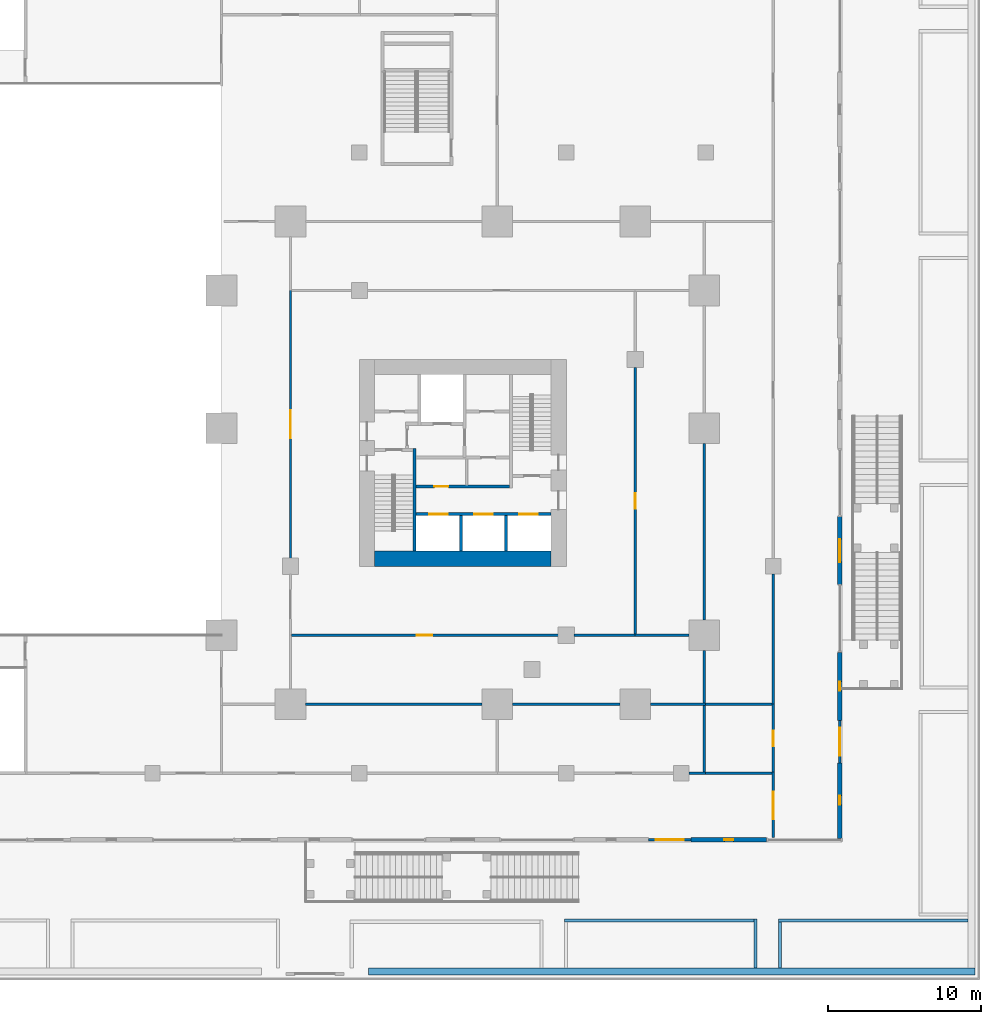
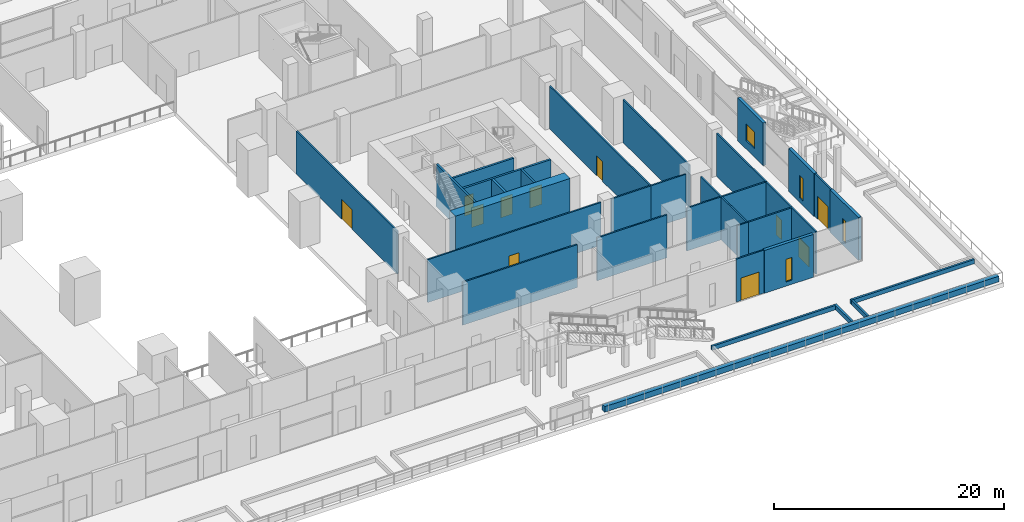
# One storey, part 35 of 49: 34 walls, 11 doors, 4 windows, 15 openings.
"""IFC4 building model written with IfcOpenShell, lengths in metres."""

from ifc_helpers import new_model, si_unit, direction, frame, frame_2d, origin, place, context, subcontext, project, spatial, rectangle, extrude, material, layer, layer_set, type_object, element, fill, save


model = new_model("IFC4")

# Units and contexts
model_context = context("Model", 3, precision=1e-05, world=origin(), true_north=direction((0.0, 1.0)))
body_context = subcontext(model_context, "Body", "Model", "MODEL_VIEW")
ifc_project = project(units=[si_unit("LENGTHUNIT", "METRE"), si_unit("AREAUNIT", "SQUARE_METRE"), si_unit("VOLUMEUNIT", "CUBIC_METRE"), si_unit("PLANEANGLEUNIT", "RADIAN"), si_unit("MASSUNIT", "GRAM", prefix="KILO")], contexts=[model_context])

# Site, building, storey
site_placement = place(None, origin())
site = spatial("IfcSite", under=ifc_project, at=site_placement, CompositionType="ELEMENT")
building_placement = place(site_placement, origin())
building = spatial("IfcBuilding", under=site, at=building_placement, Name="Altepetl Exchange Towers", CompositionType="ELEMENT")
storey_placement = place(building_placement, frame((0.0, 0.0, 11.5)))
storey = spatial("IfcBuildingStorey", under=building, at=storey_placement, Name="L02 Exchange podium", CompositionType="ELEMENT", Elevation=11.5)

# Wall
ifc_material_1 = material(Name="Concrete C70/85", Category="concrete")
ifc_layer_1 = layer(ifc_material_1, 1.0)
ifc_layer_set_1 = layer_set([ifc_layer_1], Name="Concrete C70/85")
wall_type_1 = type_object("IfcWallType", Name="Core wall 1000 reinforced concrete", PredefinedType="SHEAR", material=ifc_layer_set_1)
wall_1_placement = place(storey_placement, frame((104.5, 36.5, 0.0)))
element("IfcWall", 1, at=wall_1_placement, inside=storey, type_object=wall_type_1, Name="wall:B:L02:K-coreS", PredefinedType="SHEAR", context=body_context, shape_type="SweptSolid", body=[
    extrude(rectangle(XDim=11.5, YDim=1.0, at=frame_2d((5.75, 0.0))), origin(), (0.0, 0.0, 1.0), 4.5),
])

# Wall, opening, door
ifc_material_2 = material(Name="Aluminium composite cladding", Category="aluminium")
ifc_layer_2 = layer(ifc_material_2, 0.14990234375)
ifc_layer_set_2 = layer_set([ifc_layer_2], Name="Aluminium composite cladding")
wall_type_2 = type_object("IfcWallType", Name="Infill wall 150 aluminium panel", PredefinedType="SOLIDWALL", material=ifc_layer_set_2)
wall_2_placement = place(storey_placement, frame((122.35009765625, 18.14990234375, 0.0)))
wall_2 = element("IfcWall", 2, at=wall_2_placement, inside=storey, type_object=wall_type_2, Name="Door bay wall", PredefinedType="SOLIDWALL", context=body_context, shape_type="SweptSolid", body=[
    extrude(rectangle(XDim=2.7998046875, YDim=0.14990234375, at=frame_2d((1.39990234375, 0.0))), origin(), (0.0, 0.0, 1.0), 4.550048828125),
])
opening_1_placement = place(wall_2_placement, frame((0.5, 0.0, 0.0)))
opening_1 = element("IfcOpeningElement", 3, at=opening_1_placement, cuts=wall_2, Name="Opening L02.E18", PredefinedType="OPENING", context=body_context, shape_type="SweptSolid", body=[
    extrude(rectangle(XDim=1.800048828125, YDim=2.39990234375, at=frame_2d((0.89990234375, 1.199951171875))), frame((0.0, 0.0849609375, 0.0), z_axis=(0.0, -1.0, 0.0), x_axis=(1.0, 0.0, 0.0)), (0.0, 0.0, 1.0), 0.169921875),
])
ifc_material_3 = material(Name="Aluminium 6063-T6 and glass", Category="aluminium")
door_type_1 = type_object("IfcDoorType", Name="Glazed door pair 1800x2400", OperationType="DOUBLE_DOOR_DOUBLE_SWING", PredefinedType="NOTDEFINED", material=ifc_material_3)
door_1_placement = place(opening_1_placement, frame((1.800048828125, 0.0, 0.0), x_axis=(-1.0, 0.0, 0.0)))
door_1 = element("IfcDoor", 4, at=door_1_placement, inside=storey, type_object=door_type_1, Name="Terrace door", OperationType="DOUBLE_DOOR_DOUBLE_SWING", OverallHeight=2.39990234375, OverallWidth=1.800048828125, PredefinedType="NOTDEFINED", context=body_context, shape_type="SweptSolid", body=[
    extrude(rectangle(XDim=1.800048828125, YDim=2.39990234375, at=frame_2d((0.89990234375, 1.199951171875))), frame((0.0, 0.02490234375, 0.0), z_axis=(0.0, -1.0, 0.0), x_axis=(1.0, 0.0, 0.0)), (0.0, 0.0, 1.0), 0.050048828125),
])
fill(opening_1, door_1)

wall_3_placement = place(storey_placement, frame((134.85009765625, 23.14990234375, 0.0), z_axis=(0.0, 0.0, 1.0), x_axis=(0.0, 1.0, 0.0)))
wall_3 = element("IfcWall", 5, at=wall_3_placement, inside=storey, type_object=wall_type_2, Name="Door bay wall", PredefinedType="SOLIDWALL", context=body_context, shape_type="SweptSolid", body=[
    extrude(rectangle(XDim=2.800048828125, YDim=0.14990234375, at=frame_2d((1.39990234375, 0.0))), origin(), (0.0, 0.0, 1.0), 4.550048828125),
])
opening_2_placement = place(wall_3_placement, frame((0.5, 0.0, 0.0)))
opening_2 = element("IfcOpeningElement", 6, at=opening_2_placement, cuts=wall_3, Name="Opening L02.E06", PredefinedType="OPENING", context=body_context, shape_type="SweptSolid", body=[
    extrude(rectangle(XDim=1.800048828125, YDim=2.39990234375, at=frame_2d((0.89990234375, 1.199951171875))), frame((0.0, 0.0849609375, 0.0), z_axis=(0.0, -1.0, 0.0), x_axis=(1.0, 0.0, 0.0)), (0.0, 0.0, 1.0), 0.169921875),
])
door_2_placement = place(opening_2_placement, frame((1.800048828125, 0.0, 0.0), x_axis=(-1.0, 0.0, 0.0)))
door_2 = element("IfcDoor", 7, at=door_2_placement, inside=storey, type_object=door_type_1, Name="Terrace door", OperationType="DOUBLE_DOOR_DOUBLE_SWING", OverallHeight=2.39990234375, OverallWidth=1.800048828125, PredefinedType="NOTDEFINED", context=body_context, shape_type="SweptSolid", body=[
    extrude(rectangle(XDim=1.800048828125, YDim=2.39990234375, at=frame_2d((0.89990234375, 1.199951171875))), frame((0.0, 0.02490234375, 0.0), z_axis=(0.0, -1.0, 0.0), x_axis=(1.0, 0.0, 0.0)), (0.0, 0.0, 1.0), 0.050048828125),
])
fill(opening_2, door_2)

ifc_material_4 = material(Name="Concrete blockwork", Category="masonry")
ifc_layer_3 = layer(ifc_material_4, 0.199951171875)
ifc_layer_set_3 = layer_set([ifc_layer_3], Name="Concrete blockwork")
wall_type_3 = type_object("IfcWallType", Name="Lobby wall 200 blockwork", PredefinedType="PARTITIONING", material=ifc_layer_set_3)
wall_4_placement = place(storey_placement, frame((107.199951171875, 41.199951171875, 0.0)))
wall_4 = element("IfcWall", 8, at=wall_4_placement, inside=storey, type_object=wall_type_3, Name="wall:B:L02:K-zoneS", PredefinedType="PARTITIONING", context=body_context, shape_type="SweptSolid", body=[
    extrude(rectangle(XDim=6.10009765625, YDim=0.199951171875, at=frame_2d((3.050048828125, 0.0))), origin(), (0.0, 0.0, 1.0), 4.5),
])
opening_3_placement = place(wall_4_placement, frame((1.199951171875, 0.0, 0.0)))
opening_3 = element("IfcOpeningElement", 9, at=opening_3_placement, cuts=wall_4, Name="Opening L02.B70", PredefinedType="OPENING", context=body_context, shape_type="SweptSolid", body=[
    extrude(rectangle(XDim=0.89990234375, YDim=2.10009765625, at=frame_2d((0.449951171875, 1.050048828125))), frame((0.0, 0.10986328125, 0.0), z_axis=(0.0, -1.0, 0.0), x_axis=(1.0, 0.0, 0.0)), (0.0, 0.0, 1.0), 0.219970703125),
])
ifc_material_5 = material(Name="Steel and timber fire door", Category="steel")
door_type_2 = type_object("IfcDoorType", Name="Fire door 900 x 2100 service room", OperationType="SINGLE_SWING_LEFT", PredefinedType="DOOR", material=ifc_material_5)
door_3_placement = place(opening_3_placement, origin())
door_3 = element("IfcDoor", 10, at=door_3_placement, inside=storey, type_object=door_type_2, Name="door:B:L02:K-dz1", OperationType="SINGLE_SWING_RIGHT", OverallHeight=2.10009765625, OverallWidth=0.89990234375, PredefinedType="DOOR", context=body_context, shape_type="SweptSolid", body=[
    extrude(rectangle(XDim=0.89990234375, YDim=2.10009765625, at=frame_2d((0.449951171875, 1.050048828125))), frame((0.0, 0.02490234375, 0.0), z_axis=(0.0, -1.0, 0.0), x_axis=(1.0, 0.0, 0.0)), (0.0, 0.0, 1.0), 0.050048828125),
])
fill(opening_3, door_3)

# Walls
ifc_material_6 = material(Name="Concrete C30/37", Category="concrete")
ifc_layer_4 = layer(ifc_material_6, 0.449951171875)
ifc_layer_set_4 = layer_set([ifc_layer_4], Name="Concrete C30/37")
wall_type_4 = type_object("IfcWallType", Name="Planter wall 450 concrete", PredefinedType="SOLIDWALL", material=ifc_layer_set_4)
wall_5_placement = place(storey_placement, frame((104.092529296875, 9.550048828125, 0.0)))
element("IfcWall", 11, at=wall_5_placement, inside=storey, type_object=wall_type_4, Name="Planter bed wall", PredefinedType="SOLIDWALL", context=body_context, shape_type="SweptSolid", body=[
    extrude(rectangle(XDim=39.58251953125, YDim=0.449951171875, at=frame_2d((19.791259765625, 0.0))), origin(), (0.0, 0.0, 1.0), 0.60009765625),
])
ifc_material_7 = material(Name="Reinforced concrete C35/45", Category="concrete")
ifc_layer_5 = layer(ifc_material_7, 0.199951171875)
ifc_layer_set_5 = layer_set([ifc_layer_5], Name="Reinforced concrete C35/45")
wall_type_5 = type_object("IfcWallType", Name="Planting bed curb 200", PredefinedType="SOLIDWALL", material=ifc_layer_set_5)
wall_6_placement = place(storey_placement, frame((129.35009765625, 9.77490234375, 0.0), z_axis=(0.0, 0.0, 1.0), x_axis=(0.0, 1.0, 0.0)))
element("IfcWall", 12, at=wall_6_placement, inside=storey, type_object=wall_type_5, Name="wall:P:L02:CB02e", PredefinedType="SOLIDWALL", context=body_context, shape_type="SweptSolid", body=[
    extrude(rectangle(XDim=3.2001953125, YDim=0.199951171875, at=frame_2d((1.60009765625, 0.0))), origin(), (0.0, 0.0, 1.0), 0.449951171875),
])
for number, where, name in (
    (13, (116.875, 12.875, 0.0), "wall:P:L02:CB02n"),
    (14, (130.85009765625, 12.875, 0.0), "wall:P:L02:CB03n"),
):
    element("IfcWall", number, at=place(storey_placement, frame(where)), inside=storey, type_object=wall_type_5, Name=name, PredefinedType="SOLIDWALL", context=body_context, shape_type="SweptSolid", body=[
        extrude(rectangle(XDim=12.375, YDim=0.199951171875, at=frame_2d((6.1875, 0.0))), origin(), (0.0, 0.0, 1.0), 0.449951171875),
    ])
wall_7_placement = place(storey_placement, frame((130.949951171875, 9.77490234375, 0.0), z_axis=(0.0, 0.0, 1.0), x_axis=(0.0, 1.0, 0.0)))
element("IfcWall", 15, at=wall_7_placement, inside=storey, type_object=wall_type_5, Name="wall:P:L02:CB03w", PredefinedType="SOLIDWALL", context=body_context, shape_type="SweptSolid", body=[
    extrude(rectangle(XDim=3.0, YDim=0.199951171875, at=frame_2d((1.5, 0.0))), origin(), (0.0, 0.0, 1.0), 0.449951171875),
])

# Wall, opening, door
ifc_material_8 = material(Name="Gypsum board on steel studs", Category="steel")
ifc_layer_6 = layer(ifc_material_8, 0.14990234375)
ifc_layer_set_6 = layer_set([ifc_layer_6], Name="Gypsum board on steel studs")
wall_type_6 = type_object("IfcWallType", Name="Podium partition 150", PredefinedType="PARTITIONING", material=ifc_layer_set_6)
wall_8_placement = place(storey_placement, frame((130.5, 18.300048828125, 0.0), z_axis=(0.0, 0.0, 1.0), x_axis=(0.0, 1.0, 0.0)))
wall_8 = element("IfcWall", 16, at=wall_8_placement, inside=storey, type_object=wall_type_6, Name="wall:P:L02:P009", PredefinedType="PARTITIONING", context=body_context, shape_type="SweptSolid", body=[
    extrude(rectangle(XDim=4.27490234375, YDim=0.14990234375, at=frame_2d((2.137451171875, 0.0))), origin(), (0.0, 0.0, 1.0), 4.550048828125),
])
opening_4_placement = place(wall_8_placement, frame((1.199951171875, 0.0, 0.0)))
opening_4 = element("IfcOpeningElement", 17, at=opening_4_placement, cuts=wall_8, Name="Opening L02.P027", PredefinedType="OPENING", context=body_context, shape_type="SweptSolid", body=[
    extrude(rectangle(XDim=1.800048828125, YDim=2.10009765625, at=frame_2d((0.89990234375, 1.050048828125))), frame((0.0, 0.0849609375, 0.0), z_axis=(0.0, -1.0, 0.0), x_axis=(1.0, 0.0, 0.0)), (0.0, 0.0, 1.0), 0.169921875),
])
ifc_material_9 = material(Name="Glazed aluminium and steel", Category="steel")
door_type_3 = type_object("IfcDoorType", Name="Podium fire door 1800 x 2100 double leaf", OperationType="DOUBLE_DOOR_SINGLE_SWING", PredefinedType="DOOR", material=ifc_material_9)
door_4_placement = place(opening_4_placement, frame((1.800048828125, 0.0, 0.0), x_axis=(-1.0, 0.0, 0.0)))
door_4 = element("IfcDoor", 18, at=door_4_placement, inside=storey, type_object=door_type_3, Name="door:P:L02:027", OperationType="DOUBLE_DOOR_SINGLE_SWING", OverallHeight=2.10009765625, OverallWidth=1.800048828125, PredefinedType="DOOR", context=body_context, shape_type="SweptSolid", body=[
    extrude(rectangle(XDim=1.800048828125, YDim=2.10009765625, at=frame_2d((0.89990234375, 1.050048828125))), frame((0.0, 0.02490234375, 0.0), z_axis=(0.0, -1.0, 0.0), x_axis=(1.0, 0.0, 0.0)), (0.0, 0.0, 1.0), 0.050048828125),
])
fill(opening_4, door_4)

# Wall
wall_9_placement = place(storey_placement, frame((130.5, 26.925048828125, 0.0), z_axis=(0.0, 0.0, 1.0), x_axis=(0.0, 1.0, 0.0)))
element("IfcWall", 19, at=wall_9_placement, inside=storey, type_object=wall_type_6, Name="wall:P:L02:P011", PredefinedType="PARTITIONING", context=body_context, shape_type="SweptSolid", body=[
    extrude(rectangle(XDim=8.579833984375, YDim=0.14990234375, at=frame_2d((4.2900390625, 0.0))), origin(), (0.0, 0.0, 1.0), 4.550048828125),
])

# Wall, opening, door
wall_10_placement = place(storey_placement, frame((130.5, 22.5, 0.0), z_axis=(0.0, 0.0, 1.0), x_axis=(0.0, 1.0, 0.0)))
wall_10 = element("IfcWall", 20, at=wall_10_placement, inside=storey, type_object=wall_type_6, Name="wall:P:L02:P014", PredefinedType="PARTITIONING", context=body_context, shape_type="SweptSolid", body=[
    extrude(rectangle(XDim=4.5, YDim=0.14990234375, at=frame_2d((2.25, 0.0))), origin(), (0.0, 0.0, 1.0), 4.550048828125),
])
opening_5_placement = place(wall_10_placement, frame((1.75, 0.0, 0.0)))
opening_5 = element("IfcOpeningElement", 21, at=opening_5_placement, cuts=wall_10, Name="Opening L02.P021", PredefinedType="OPENING", context=body_context, shape_type="SweptSolid", body=[
    extrude(rectangle(XDim=1.0, YDim=2.10009765625, at=frame_2d((0.5, 1.050048828125))), frame((0.0, 0.0849609375, 0.0), z_axis=(0.0, -1.0, 0.0), x_axis=(1.0, 0.0, 0.0)), (0.0, 0.0, 1.0), 0.169921875),
])
door_type_4 = type_object("IfcDoorType", Name="Podium fire door 1000 x 2100 single leaf", OperationType="SINGLE_SWING_LEFT", PredefinedType="DOOR", material=ifc_material_5)
door_5_placement = place(opening_5_placement, origin())
door_5 = element("IfcDoor", 22, at=door_5_placement, inside=storey, type_object=door_type_4, Name="door:P:L02:021", OperationType="SINGLE_SWING_RIGHT", OverallHeight=2.10009765625, OverallWidth=1.0, PredefinedType="DOOR", context=body_context, shape_type="SweptSolid", body=[
    extrude(rectangle(XDim=1.0, YDim=2.10009765625, at=frame_2d((0.5, 1.050048828125))), frame((0.0, 0.02490234375, 0.0), z_axis=(0.0, -1.0, 0.0), x_axis=(1.0, 0.0, 0.0)), (0.0, 0.0, 1.0), 0.050048828125),
])
fill(opening_5, door_5)

# Walls
wall_11_placement = place(storey_placement, frame((124.9951171875, 22.5, 0.0)))
element("IfcWall", 23, at=wall_11_placement, inside=storey, type_object=wall_type_6, Name="wall:P:L02:P026", PredefinedType="PARTITIONING", context=body_context, shape_type="SweptSolid", body=[
    extrude(rectangle(XDim=1.079833984375, YDim=0.14990234375, at=frame_2d((0.5400390625, 0.0))), origin(), (0.0, 0.0, 1.0), 4.550048828125),
])
wall_12_placement = place(storey_placement, frame((126.0, 22.5, 0.0)))
element("IfcWall", 24, at=wall_12_placement, inside=storey, type_object=wall_type_6, Name="wall:P:L02:P027", PredefinedType="PARTITIONING", context=body_context, shape_type="SweptSolid", body=[
    extrude(rectangle(XDim=4.425048828125, YDim=0.14990234375, at=frame_2d((2.21240234375, 0.0))), origin(), (0.0, 0.0, 1.0), 4.550048828125),
])

# Wall, opening, door
wall_13_placement = place(storey_placement, frame((99.0, 36.52001953125, 0.0), z_axis=(0.0, 0.0, 1.0), x_axis=(0.0, 1.0, 0.0)))
wall_13 = element("IfcWall", 25, at=wall_13_placement, inside=storey, type_object=wall_type_6, Name="wall:P:L02:P099", PredefinedType="PARTITIONING", context=body_context, shape_type="SweptSolid", body=[
    extrude(rectangle(XDim=17.554931640625, YDim=0.14990234375, at=frame_2d((8.77734375, 0.0))), origin(), (0.0, 0.0, 1.0), 4.550048828125),
])
opening_6_placement = place(wall_13_placement, frame((7.85009765625, 0.0, 0.0)))
opening_6 = element("IfcOpeningElement", 26, at=opening_6_placement, cuts=wall_13, Name="Opening L02.P044", PredefinedType="OPENING", context=body_context, shape_type="SweptSolid", body=[
    extrude(rectangle(XDim=1.800048828125, YDim=2.10009765625, at=frame_2d((0.89990234375, 1.050048828125))), frame((0.0, 0.0849609375, 0.0), z_axis=(0.0, -1.0, 0.0), x_axis=(1.0, 0.0, 0.0)), (0.0, 0.0, 1.0), 0.169921875),
])
door_6_placement = place(opening_6_placement, origin())
door_6 = element("IfcDoor", 27, at=door_6_placement, inside=storey, type_object=door_type_3, Name="door:P:L02:044", OperationType="DOUBLE_DOOR_SINGLE_SWING", OverallHeight=2.10009765625, OverallWidth=1.800048828125, PredefinedType="DOOR", context=body_context, shape_type="SweptSolid", body=[
    extrude(rectangle(XDim=1.800048828125, YDim=2.10009765625, at=frame_2d((0.89990234375, 1.050048828125))), frame((0.0, 0.02490234375, 0.0), z_axis=(0.0, -1.0, 0.0), x_axis=(1.0, 0.0, 0.0)), (0.0, 0.0, 1.0), 0.050048828125),
])
fill(opening_6, door_6)

wall_14_placement = place(storey_placement, frame((99.074951171875, 31.5, 0.0)))
wall_14 = element("IfcWall", 28, at=wall_14_placement, inside=storey, type_object=wall_type_6, Name="wall:P:L02:P104", PredefinedType="PARTITIONING", context=body_context, shape_type="SweptSolid", body=[
    extrude(rectangle(XDim=17.405029296875, YDim=0.14990234375, at=frame_2d((8.70263671875, 0.0))), origin(), (0.0, 0.0, 1.0), 4.550048828125),
])
opening_7_placement = place(wall_14_placement, frame((8.175048828125, 0.0, 0.0)))
opening_7 = element("IfcOpeningElement", 29, at=opening_7_placement, cuts=wall_14, Name="Opening L02.P013", PredefinedType="OPENING", context=body_context, shape_type="SweptSolid", body=[
    extrude(rectangle(XDim=1.0, YDim=2.10009765625, at=frame_2d((0.5, 1.050048828125))), frame((0.0, 0.0849609375, 0.0), z_axis=(0.0, -1.0, 0.0), x_axis=(1.0, 0.0, 0.0)), (0.0, 0.0, 1.0), 0.169921875),
])
door_7_placement = place(opening_7_placement, frame((1.0, 0.0, 0.0), x_axis=(-1.0, 0.0, 0.0)))
door_7 = element("IfcDoor", 30, at=door_7_placement, inside=storey, type_object=door_type_4, Name="door:P:L02:013", OperationType="SINGLE_SWING_LEFT", OverallHeight=2.10009765625, OverallWidth=1.0, PredefinedType="DOOR", context=body_context, shape_type="SweptSolid", body=[
    extrude(rectangle(XDim=1.0, YDim=2.10009765625, at=frame_2d((0.5, 1.050048828125))), frame((0.0, 0.02490234375, 0.0), z_axis=(0.0, -1.0, 0.0), x_axis=(1.0, 0.0, 0.0)), (0.0, 0.0, 1.0), 0.050048828125),
])
fill(opening_7, door_7)

# Wall
wall_15_placement = place(storey_placement, frame((117.52001953125, 31.5, 0.0)))
element("IfcWall", 31, at=wall_15_placement, inside=storey, type_object=wall_type_6, Name="wall:P:L02:P105", PredefinedType="PARTITIONING", context=body_context, shape_type="SweptSolid", body=[
    extrude(rectangle(XDim=4.054931640625, YDim=0.14990234375, at=frame_2d((2.02734375, 0.0))), origin(), (0.0, 0.0, 1.0), 4.550048828125),
])

# Wall, opening, door
wall_16_placement = place(storey_placement, frame((121.5, 31.574951171875, 0.0), z_axis=(0.0, 0.0, 1.0), x_axis=(0.0, 1.0, 0.0)))
wall_16 = element("IfcWall", 32, at=wall_16_placement, inside=storey, type_object=wall_type_6, Name="wall:P:L02:P108", PredefinedType="PARTITIONING", context=body_context, shape_type="SweptSolid", body=[
    extrude(rectangle(XDim=17.405029296875, YDim=0.14990234375, at=frame_2d((8.70263671875, 0.0))), origin(), (0.0, 0.0, 1.0), 4.550048828125),
])
opening_8_placement = place(wall_16_placement, frame((8.175048828125, 0.0, 0.0)))
opening_8 = element("IfcOpeningElement", 33, at=opening_8_placement, cuts=wall_16, Name="Opening L02.P015", PredefinedType="OPENING", context=body_context, shape_type="SweptSolid", body=[
    extrude(rectangle(XDim=1.0, YDim=2.10009765625, at=frame_2d((0.5, 1.050048828125))), frame((0.0, 0.0849609375, 0.0), z_axis=(0.0, -1.0, 0.0), x_axis=(1.0, 0.0, 0.0)), (0.0, 0.0, 1.0), 0.169921875),
])
door_8_placement = place(opening_8_placement, frame((1.0, 0.0, 0.0), x_axis=(-1.0, 0.0, 0.0)))
door_8 = element("IfcDoor", 34, at=door_8_placement, inside=storey, type_object=door_type_4, Name="door:P:L02:015", OperationType="SINGLE_SWING_LEFT", OverallHeight=2.10009765625, OverallWidth=1.0, PredefinedType="DOOR", context=body_context, shape_type="SweptSolid", body=[
    extrude(rectangle(XDim=1.0, YDim=2.10009765625, at=frame_2d((0.5, 1.050048828125))), frame((0.0, 0.02490234375, 0.0), z_axis=(0.0, -1.0, 0.0), x_axis=(1.0, 0.0, 0.0)), (0.0, 0.0, 1.0), 0.050048828125),
])
fill(opening_8, door_8)

# Walls
wall_17_placement = place(storey_placement, frame((121.5, 31.5, 0.0)))
element("IfcWall", 35, at=wall_17_placement, inside=storey, type_object=wall_type_6, Name="wall:P:L02:P110", PredefinedType="PARTITIONING", context=body_context, shape_type="SweptSolid", body=[
    extrude(rectangle(XDim=3.5048828125, YDim=0.14990234375, at=frame_2d((1.75244140625, 0.0))), origin(), (0.0, 0.0, 1.0), 4.550048828125),
])
wall_18_placement = place(storey_placement, frame((99.9951171875, 27.0, 0.0)))
element("IfcWall", 36, at=wall_18_placement, inside=storey, type_object=wall_type_6, Name="wall:P:L02:P111", PredefinedType="PARTITIONING", context=body_context, shape_type="SweptSolid", body=[
    extrude(rectangle(XDim=11.509765625, YDim=0.14990234375, at=frame_2d((5.7548828125, 0.0))), origin(), (0.0, 0.0, 1.0), 4.550048828125),
])
wall_19_placement = place(storey_placement, frame((113.4951171875, 27.0, 0.0)))
element("IfcWall", 37, at=wall_19_placement, inside=storey, type_object=wall_type_6, Name="wall:P:L02:P112", PredefinedType="PARTITIONING", context=body_context, shape_type="SweptSolid", body=[
    extrude(rectangle(XDim=7.009765625, YDim=0.14990234375, at=frame_2d((3.5048828125, 0.0))), origin(), (0.0, 0.0, 1.0), 4.550048828125),
])
wall_20_placement = place(storey_placement, frame((122.4951171875, 27.0, 0.0)))
element("IfcWall", 38, at=wall_20_placement, inside=storey, type_object=wall_type_6, Name="wall:P:L02:P113", PredefinedType="PARTITIONING", context=body_context, shape_type="SweptSolid", body=[
    extrude(rectangle(XDim=3.579833984375, YDim=0.14990234375, at=frame_2d((1.7900390625, 0.0))), origin(), (0.0, 0.0, 1.0), 4.550048828125),
])
wall_21_placement = place(storey_placement, frame((126.0, 26.925048828125, 0.0), z_axis=(0.0, 0.0, 1.0), x_axis=(0.0, 1.0, 0.0)))
element("IfcWall", 39, at=wall_21_placement, inside=storey, type_object=wall_type_6, Name="wall:P:L02:P114", PredefinedType="PARTITIONING", context=body_context, shape_type="SweptSolid", body=[
    extrude(rectangle(XDim=3.579833984375, YDim=0.14990234375, at=frame_2d((1.7900390625, 0.0))), origin(), (0.0, 0.0, 1.0), 4.550048828125),
])
wall_22_placement = place(storey_placement, frame((126.0, 32.4951171875, 0.0), z_axis=(0.0, 0.0, 1.0), x_axis=(0.0, 1.0, 0.0)))
element("IfcWall", 40, at=wall_22_placement, inside=storey, type_object=wall_type_6, Name="wall:P:L02:P120", PredefinedType="PARTITIONING", context=body_context, shape_type="SweptSolid", body=[
    extrude(rectangle(XDim=11.509765625, YDim=0.14990234375, at=frame_2d((5.7548828125, 0.0))), origin(), (0.0, 0.0, 1.0), 4.550048828125),
])
wall_23_placement = place(storey_placement, frame((126.0, 22.574951171875, 0.0), z_axis=(0.0, 0.0, 1.0), x_axis=(0.0, 1.0, 0.0)))
element("IfcWall", 41, at=wall_23_placement, inside=storey, type_object=wall_type_6, Name="wall:P:L02:P123", PredefinedType="PARTITIONING", context=body_context, shape_type="SweptSolid", body=[
    extrude(rectangle(XDim=4.35009765625, YDim=0.14990234375, at=frame_2d((2.175048828125, 0.0))), origin(), (0.0, 0.0, 1.0), 4.550048828125),
])
wall_24_placement = place(storey_placement, frame((126.074951171875, 27.0, 0.0)))
element("IfcWall", 42, at=wall_24_placement, inside=storey, type_object=wall_type_6, Name="wall:P:L02:P125", PredefinedType="PARTITIONING", context=body_context, shape_type="SweptSolid", body=[
    extrude(rectangle(XDim=4.35009765625, YDim=0.14990234375, at=frame_2d((2.175048828125, 0.0))), origin(), (0.0, 0.0, 1.0), 4.550048828125),
])
ifc_material_10 = material(Name="Concrete C40/50", Category="concrete")
ifc_layer_7 = layer(ifc_material_10, 0.199951171875)
ifc_layer_set_7 = layer_set([ifc_layer_7], Name="Concrete C40/50")
wall_type_7 = type_object("IfcWallType", Name="Shaft wall 200 reinforced concrete", PredefinedType="SHEAR", material=ifc_layer_set_7)
for number, where, z_axis, x_axis, name in (
    (43, (110.13330078125, 37.0, 0.0), (0.0, 0.0, 1.0), (0.0, 1.0, 0.0), "wall:B:L02:K-divS1"),
    (44, (113.066650390625, 37.0, 0.0), (0.0, 0.0, 1.0), (0.0, 1.0, 0.0), "wall:B:L02:K-divS2"),
):
    element("IfcWall", number, at=place(storey_placement, frame(where, z_axis=z_axis, x_axis=x_axis)), inside=storey, type_object=wall_type_7, Name=name, PredefinedType="SHEAR", context=body_context, shape_type="SweptSolid", body=[
        extrude(rectangle(XDim=2.300048828125, YDim=0.199951171875, at=frame_2d((1.14990234375, 0.0))), origin(), (0.0, 0.0, 1.0), 4.5),
    ])

# Wall, openings, doors
wall_25_placement = place(storey_placement, frame((107.199951171875, 39.39990234375, 0.0)))
wall_25 = element("IfcWall", 45, at=wall_25_placement, inside=storey, type_object=wall_type_7, Name="wall:B:L02:K-frontS", PredefinedType="SHEAR", context=body_context, shape_type="SweptSolid", body=[
    extrude(rectangle(XDim=8.800048828125, YDim=0.199951171875, at=frame_2d((4.39990234375, 0.0))), origin(), (0.0, 0.0, 1.0), 4.5),
])
opening_9_placement = place(wall_25_placement, frame((0.86669921875, 0.0, 0.0)))
opening_9 = element("IfcOpeningElement", 46, at=opening_9_placement, cuts=wall_25, Name="Opening L02.B73", PredefinedType="OPENING", context=body_context, shape_type="SweptSolid", body=[
    extrude(rectangle(XDim=1.199951171875, YDim=2.10009765625, at=frame_2d((0.60009765625, 1.050048828125))), frame((0.0, 0.10986328125, 0.0), z_axis=(0.0, -1.0, 0.0), x_axis=(1.0, 0.0, 0.0)), (0.0, 0.0, 1.0), 0.219970703125),
])
opening_10_placement = place(wall_25_placement, frame((3.800048828125, 0.0, 0.0)))
opening_10 = element("IfcOpeningElement", 47, at=opening_10_placement, cuts=wall_25, Name="Opening L02.B74", PredefinedType="OPENING", context=body_context, shape_type="SweptSolid", body=[
    extrude(rectangle(XDim=1.199951171875, YDim=2.10009765625, at=frame_2d((0.60009765625, 1.050048828125))), frame((0.0, 0.10986328125, 0.0), z_axis=(0.0, -1.0, 0.0), x_axis=(1.0, 0.0, 0.0)), (0.0, 0.0, 1.0), 0.219970703125),
])
opening_11_placement = place(wall_25_placement, frame((6.7333984375, 0.0, 0.0)))
opening_11 = element("IfcOpeningElement", 48, at=opening_11_placement, cuts=wall_25, Name="Opening L02.B75", PredefinedType="OPENING", context=body_context, shape_type="SweptSolid", body=[
    extrude(rectangle(XDim=1.199951171875, YDim=2.10009765625, at=frame_2d((0.60009765625, 1.050048828125))), frame((0.0, 0.10986328125, 0.0), z_axis=(0.0, -1.0, 0.0), x_axis=(1.0, 0.0, 0.0)), (0.0, 0.0, 1.0), 0.219970703125),
])
ifc_material_11 = material(Name="Stainless steel", Category="steel")
door_type_5 = type_object("IfcDoorType", Name="Lift landing door 1200 x 2100", OperationType="SLIDING_TO_LEFT", PredefinedType="DOOR", material=ifc_material_11)
door_9_placement = place(opening_9_placement, origin())
door_9 = element("IfcDoor", 49, at=door_9_placement, inside=storey, type_object=door_type_5, Name="Landing door P1", OperationType="SLIDING_TO_LEFT", OverallHeight=2.10009765625, OverallWidth=1.199951171875, PredefinedType="DOOR", context=body_context, shape_type="SweptSolid", body=[
    extrude(rectangle(XDim=1.199951171875, YDim=2.10009765625, at=frame_2d((0.60009765625, 1.050048828125))), frame((0.0, 0.02490234375, 0.0), z_axis=(0.0, -1.0, 0.0), x_axis=(1.0, 0.0, 0.0)), (0.0, 0.0, 1.0), 0.050048828125),
])
fill(opening_9, door_9)
door_10_placement = place(opening_10_placement, origin())
door_10 = element("IfcDoor", 50, at=door_10_placement, inside=storey, type_object=door_type_5, Name="Landing door P2", OperationType="SLIDING_TO_LEFT", OverallHeight=2.10009765625, OverallWidth=1.199951171875, PredefinedType="DOOR", context=body_context, shape_type="SweptSolid", body=[
    extrude(rectangle(XDim=1.199951171875, YDim=2.10009765625, at=frame_2d((0.60009765625, 1.050048828125))), frame((0.0, 0.02490234375, 0.0), z_axis=(0.0, -1.0, 0.0), x_axis=(1.0, 0.0, 0.0)), (0.0, 0.0, 1.0), 0.050048828125),
])
fill(opening_10, door_10)
door_11_placement = place(opening_11_placement, origin())
door_11 = element("IfcDoor", 51, at=door_11_placement, inside=storey, type_object=door_type_5, Name="Landing door P3", OperationType="SLIDING_TO_LEFT", OverallHeight=2.10009765625, OverallWidth=1.199951171875, PredefinedType="DOOR", context=body_context, shape_type="SweptSolid", body=[
    extrude(rectangle(XDim=1.199951171875, YDim=2.10009765625, at=frame_2d((0.60009765625, 1.050048828125))), frame((0.0, 0.02490234375, 0.0), z_axis=(0.0, -1.0, 0.0), x_axis=(1.0, 0.0, 0.0)), (0.0, 0.0, 1.0), 0.050048828125),
])
fill(opening_11, door_11)

# Wall
ifc_layer_8 = layer(ifc_material_10, 0.199951171875)
ifc_layer_set_8 = layer_set([ifc_layer_8], Name="Concrete C40/50")
wall_type_8 = type_object("IfcWallType", Name="Stair wall 200 reinforced concrete", PredefinedType="SHEAR", material=ifc_layer_set_8)
wall_26_placement = place(storey_placement, frame((107.10009765625, 37.0, 0.0), z_axis=(0.0, 0.0, 1.0), x_axis=(0.0, 1.0, 0.0)))
element("IfcWall", 52, at=wall_26_placement, inside=storey, type_object=wall_type_8, Name="wall:B:L02:K-stS1E", PredefinedType="SHEAR", context=body_context, shape_type="SweptSolid", body=[
    extrude(rectangle(XDim=6.699951171875, YDim=0.199951171875, at=frame_2d((3.35009765625, 0.0))), origin(), (0.0, 0.0, 1.0), 4.5),
])

# Wall, opening, window
ifc_material_12 = material(Name="Cantera limestone cladding", Category="masonry")
ifc_layer_9 = layer(ifc_material_12, 0.300048828125)
ifc_layer_set_9 = layer_set([ifc_layer_9], Name="Cantera limestone cladding")
wall_type_9 = type_object("IfcWallType", Name="Stone wall panel 300", PredefinedType="ELEMENTEDWALL", material=ifc_layer_set_9)
wall_27_placement = place(storey_placement, frame((125.14990234375, 18.14990234375, 0.0)))
wall_27 = element("IfcWall", 53, at=wall_27_placement, inside=storey, type_object=wall_type_9, Name="Stone wall panel", PredefinedType="ELEMENTEDWALL", context=body_context, shape_type="SweptSolid", body=[
    extrude(rectangle(XDim=4.925048828125, YDim=0.300048828125, at=frame_2d((2.46240234375, 0.0))), origin(), (0.0, 0.0, 1.0), 4.550048828125),
])
opening_12_placement = place(wall_27_placement, frame((2.16259765625, 0.0, 0.449951171875)))
opening_12 = element("IfcOpeningElement", 54, at=opening_12_placement, cuts=wall_27, Name="Opening W3", PredefinedType="OPENING", context=body_context, shape_type="SweptSolid", body=[
    extrude(rectangle(XDim=0.60009765625, YDim=2.39990234375, at=frame_2d((0.300048828125, 1.199951171875))), frame((0.0, 0.16015625, 0.0), z_axis=(0.0, -1.0, 0.0), x_axis=(1.0, 0.0, 0.0)), (0.0, 0.0, 1.0), 0.320068359375),
])
window_type_1 = type_object("IfcWindowType", Name="Tall slot window 600x2400", PartitioningType="SINGLE_PANEL", PredefinedType="WINDOW", material=ifc_material_3)
window_1_placement = place(opening_12_placement, origin())
window_1 = element("IfcWindow", 55, at=window_1_placement, inside=storey, type_object=window_type_1, Name="Window", OverallHeight=2.39990234375, OverallWidth=0.60009765625, PartitioningType="SINGLE_PANEL", PredefinedType="WINDOW", context=body_context, shape_type="SweptSolid", body=[
    extrude(rectangle(XDim=0.60009765625, YDim=2.39990234375, at=frame_2d((0.300048828125, 1.199951171875))), frame((0.0, 0.030029296875, 0.0), z_axis=(0.0, -1.0, 0.0), x_axis=(1.0, 0.0, 0.0)), (0.0, 0.0, 1.0), 0.06005859375),
])
fill(opening_12, window_1)

wall_28_placement = place(storey_placement, frame((134.85009765625, 18.237548828125, 0.0), z_axis=(0.0, 0.0, 1.0), x_axis=(0.0, 1.0, 0.0)))
wall_28 = element("IfcWall", 56, at=wall_28_placement, inside=storey, type_object=wall_type_9, Name="Stone wall panel", PredefinedType="ELEMENTEDWALL", context=body_context, shape_type="SweptSolid", body=[
    extrude(rectangle(XDim=4.912353515625, YDim=0.300048828125, at=frame_2d((2.4560546875, 0.0))), origin(), (0.0, 0.0, 1.0), 4.550048828125),
])
opening_13_placement = place(wall_28_placement, frame((2.1875, 0.0, 0.449951171875)))
opening_13 = element("IfcOpeningElement", 57, at=opening_13_placement, cuts=wall_28, Name="Opening W3", PredefinedType="OPENING", context=body_context, shape_type="SweptSolid", body=[
    extrude(rectangle(XDim=0.60009765625, YDim=2.39990234375, at=frame_2d((0.300048828125, 1.199951171875))), frame((0.0, 0.16015625, 0.0), z_axis=(0.0, -1.0, 0.0), x_axis=(1.0, 0.0, 0.0)), (0.0, 0.0, 1.0), 0.320068359375),
])
window_2_placement = place(opening_13_placement, origin())
window_2 = element("IfcWindow", 58, at=window_2_placement, inside=storey, type_object=window_type_1, Name="Window", OverallHeight=2.39990234375, OverallWidth=0.60009765625, PartitioningType="SINGLE_PANEL", PredefinedType="WINDOW", context=body_context, shape_type="SweptSolid", body=[
    extrude(rectangle(XDim=0.60009765625, YDim=2.39990234375, at=frame_2d((0.300048828125, 1.199951171875))), frame((0.0, 0.030029296875, 0.0), z_axis=(0.0, -1.0, 0.0), x_axis=(1.0, 0.0, 0.0)), (0.0, 0.0, 1.0), 0.06005859375),
])
fill(opening_13, window_2)

wall_29_placement = place(storey_placement, frame((134.85009765625, 25.949951171875, 0.0), z_axis=(0.0, 0.0, 1.0), x_axis=(0.0, 1.0, 0.0)))
wall_29 = element("IfcWall", 59, at=wall_29_placement, inside=storey, type_object=wall_type_9, Name="Stone wall panel", PredefinedType="ELEMENTEDWALL", context=body_context, shape_type="SweptSolid", body=[
    extrude(rectangle(XDim=4.429931640625, YDim=0.300048828125, at=frame_2d((2.21484375, 0.0))), origin(), (0.0, 0.0, 1.0), 4.550048828125),
])
opening_14_placement = place(wall_29_placement, frame((1.9150390625, 0.0, 0.449951171875)))
opening_14 = element("IfcOpeningElement", 60, at=opening_14_placement, cuts=wall_29, Name="Opening W3", PredefinedType="OPENING", context=body_context, shape_type="SweptSolid", body=[
    extrude(rectangle(XDim=0.60009765625, YDim=2.39990234375, at=frame_2d((0.300048828125, 1.199951171875))), frame((0.0, 0.16015625, 0.0), z_axis=(0.0, -1.0, 0.0), x_axis=(1.0, 0.0, 0.0)), (0.0, 0.0, 1.0), 0.320068359375),
])
window_3_placement = place(opening_14_placement, origin())
window_3 = element("IfcWindow", 61, at=window_3_placement, inside=storey, type_object=window_type_1, Name="Window", OverallHeight=2.39990234375, OverallWidth=0.60009765625, PartitioningType="SINGLE_PANEL", PredefinedType="WINDOW", context=body_context, shape_type="SweptSolid", body=[
    extrude(rectangle(XDim=0.60009765625, YDim=2.39990234375, at=frame_2d((0.300048828125, 1.199951171875))), frame((0.0, 0.030029296875, 0.0), z_axis=(0.0, -1.0, 0.0), x_axis=(1.0, 0.0, 0.0)), (0.0, 0.0, 1.0), 0.06005859375),
])
fill(opening_14, window_3)

wall_30_placement = place(storey_placement, frame((134.85009765625, 34.81005859375, 0.0), z_axis=(0.0, 0.0, 1.0), x_axis=(0.0, 1.0, 0.0)))
wall_30 = element("IfcWall", 62, at=wall_30_placement, inside=storey, type_object=wall_type_9, Name="Stone wall panel", PredefinedType="ELEMENTEDWALL", context=body_context, shape_type="SweptSolid", body=[
    extrude(rectangle(XDim=4.429931640625, YDim=0.300048828125, at=frame_2d((2.21484375, 0.0))), origin(), (0.0, 0.0, 1.0), 4.550048828125),
])
opening_15_placement = place(wall_30_placement, frame((1.465087890625, 0.0, 0.89990234375)))
opening_15 = element("IfcOpeningElement", 63, at=opening_15_placement, cuts=wall_30, Name="Opening W2", PredefinedType="OPENING", context=body_context, shape_type="SweptSolid", body=[
    extrude(rectangle(XDim=1.5, YDim=1.800048828125, at=frame_2d((0.75, 0.89990234375))), frame((0.0, 0.16015625, 0.0), z_axis=(0.0, -1.0, 0.0), x_axis=(1.0, 0.0, 0.0)), (0.0, 0.0, 1.0), 0.320068359375),
])
ifc_material_13 = material(Name="Timber and glass", Category="wood")
window_type_2 = type_object("IfcWindowType", Name="Punched window 1500x1800", PartitioningType="SINGLE_PANEL", PredefinedType="WINDOW", material=ifc_material_13)
window_4_placement = place(opening_15_placement, origin())
window_4 = element("IfcWindow", 64, at=window_4_placement, inside=storey, type_object=window_type_2, Name="Window", OverallHeight=1.800048828125, OverallWidth=1.5, PartitioningType="SINGLE_PANEL", PredefinedType="WINDOW", context=body_context, shape_type="SweptSolid", body=[
    extrude(rectangle(XDim=1.5, YDim=1.800048828125, at=frame_2d((0.75, 0.89990234375))), frame((0.0, 0.030029296875, 0.0), z_axis=(0.0, -1.0, 0.0), x_axis=(1.0, 0.0, 0.0)), (0.0, 0.0, 1.0), 0.06005859375),
])
fill(opening_15, window_4)

save(model, "model.ifc")
